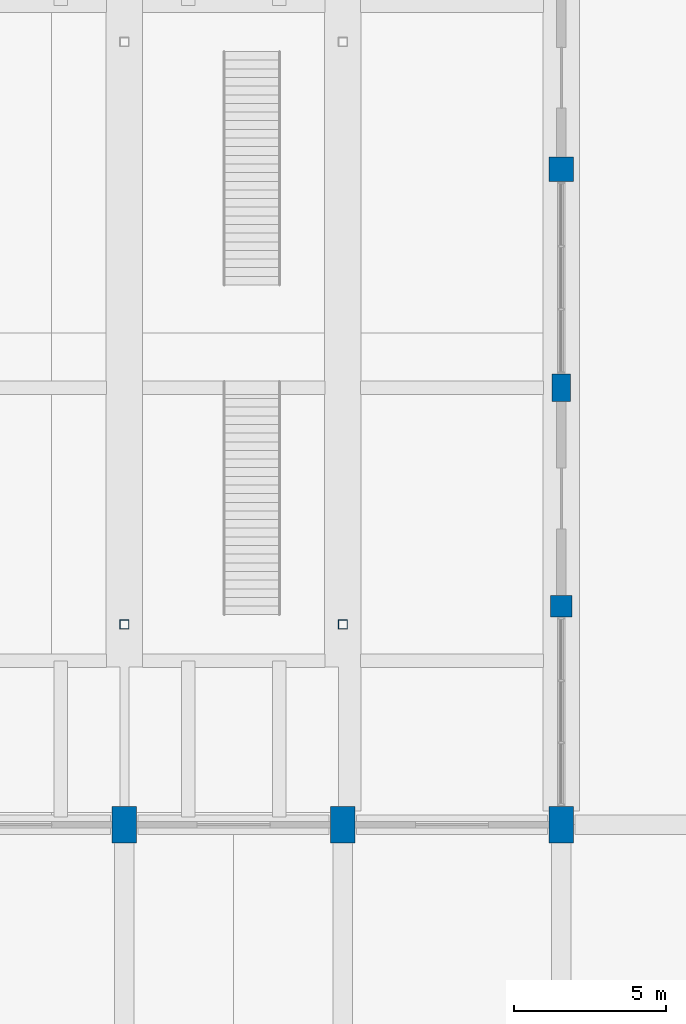
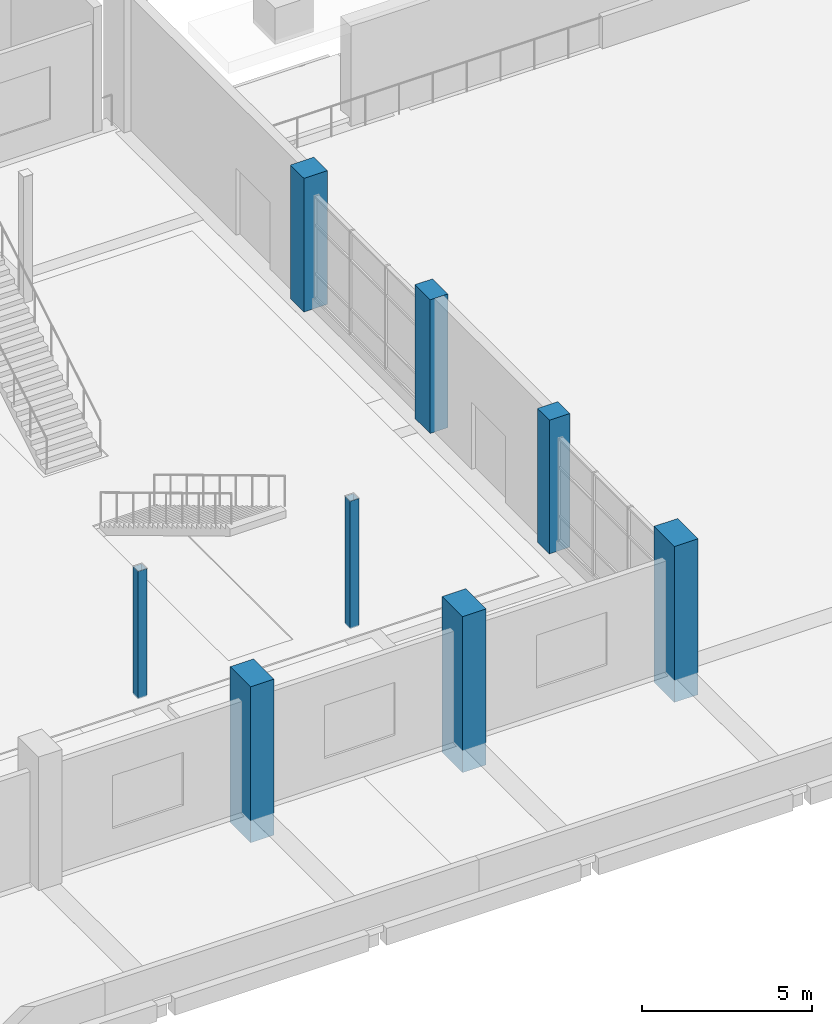
# One storey, part 10 of 82: 8 columns.
"""IFC4 building model written with IfcOpenShell, lengths in metres."""

from ifc_helpers import new_model, si_unit, direction, frame, origin, origin_2d, place, context, subcontext, project, spatial, rectangle, hollow_rectangle, extrude, material, material_profile, profile_set, type_object, element, save


model = new_model("IFC4")

# Units and contexts
model_context = context("Model", 3, precision=1e-05, world=origin(), true_north=direction((0.0, 1.0)))
body_context = subcontext(model_context, "Body", "Model", "MODEL_VIEW")
ifc_project = project(units=[si_unit("LENGTHUNIT", "METRE"), si_unit("AREAUNIT", "SQUARE_METRE"), si_unit("VOLUMEUNIT", "CUBIC_METRE"), si_unit("PLANEANGLEUNIT", "RADIAN"), si_unit("MASSUNIT", "GRAM", prefix="KILO")], contexts=[model_context])

# Site, building, storey
site_placement = place(None, origin())
site = spatial("IfcSite", under=ifc_project, at=site_placement, CompositionType="ELEMENT")
building_placement = place(site_placement, origin())
building = spatial("IfcBuilding", under=site, at=building_placement, Name="Sardonyx Promenade Sports Hall", CompositionType="ELEMENT")
storey_placement = place(building_placement, frame((0.0, 0.0, 11.199951171875)))
storey = spatial("IfcBuildingStorey", under=building, at=storey_placement, Name="L02", CompositionType="ELEMENT", Elevation=11.199951171875)

# Columns
ifc_material_1 = material(Name="Concrete C40/50", Category="concrete")
ifc_material_profile_1 = material_profile(ifc_material_1, rectangle(XDim=0.60009765625, YDim=0.89990234375, at=origin_2d()))
ifc_profile_set_1 = profile_set([ifc_material_profile_1], Name="Concrete C40/50")
column_type_1 = type_object("IfcColumnType", Name="Col_Ext_RC600x900", PredefinedType="COLUMN", material=ifc_profile_set_1)
column_1_placement = place(storey_placement, frame((79.199951171875, 86.39990234375, 0.0), z_axis=(0.0, 0.0, 1.0), x_axis=(1.0, 0.0, 0.0)))
element("IfcColumn", 1, at=column_1_placement, inside=storey, type_object=column_type_1, Name="Column CE12 L02 (79.2,86.4)", PredefinedType="COLUMN", context=body_context, shape_type="SweptSolid", body=[
    extrude(rectangle(XDim=0.60009765625, YDim=0.89990234375, at=origin_2d()), origin(), (0.0, 0.0, 1.0), 4.800048828125),
])
ifc_material_2 = material(Name="Concrete C40/50", Category="concrete")
ifc_material_profile_2 = material_profile(ifc_material_2, rectangle(XDim=0.699951171875, YDim=0.699951171875, at=origin_2d()))
ifc_profile_set_2 = profile_set([ifc_material_profile_2], Name="Concrete C40/50")
column_type_2 = type_object("IfcColumnType", Name="Col_Ext_RC700", PredefinedType="COLUMN", material=ifc_profile_set_2)
column_2_placement = place(storey_placement, frame((79.199951171875, 79.199951171875, 0.0), z_axis=(0.0, 0.0, 1.0), x_axis=(1.0, 0.0, 0.0)))
element("IfcColumn", 2, at=column_2_placement, inside=storey, type_object=column_type_2, Name="Column CE05 L02 (79.2,79.2)", PredefinedType="COLUMN", context=body_context, shape_type="SweptSolid", body=[
    extrude(rectangle(XDim=0.699951171875, YDim=0.699951171875, at=origin_2d()), origin(), (0.0, 0.0, 1.0), 4.800048828125),
])
ifc_material_3 = material(Name="Concrete C50/60", Category="concrete")
ifc_material_profile_3 = material_profile(ifc_material_3, rectangle(XDim=0.800048828125, YDim=0.800048828125, at=origin_2d()))
ifc_profile_set_3 = profile_set([ifc_material_profile_3], Name="Concrete C50/60")
column_type_3 = type_object("IfcColumnType", Name="Col_Ext_RC800", PredefinedType="COLUMN", material=ifc_profile_set_3)
column_3_placement = place(storey_placement, frame((79.199951171875, 93.60009765625, 0.0), z_axis=(0.0, 0.0, 1.0), x_axis=(1.0, 0.0, 0.0)))
element("IfcColumn", 3, at=column_3_placement, inside=storey, type_object=column_type_3, Name="Column CE13 L02 (79.2,93.6)", PredefinedType="COLUMN", context=body_context, shape_type="SweptSolid", body=[
    extrude(rectangle(XDim=0.800048828125, YDim=0.800048828125, at=origin_2d()), origin(), (0.0, 0.0, 1.0), 4.800048828125),
])
ifc_material_4 = material(Name="Concrete C50/60", Category="concrete")
ifc_material_profile_4 = material_profile(ifc_material_4, rectangle(XDim=0.800048828125, YDim=1.199951171875, at=origin_2d()))
ifc_profile_set_4 = profile_set([ifc_material_profile_4], Name="Concrete C50/60")
column_type_4 = type_object("IfcColumnType", Name="Col_Ext_RC800x1200", PredefinedType="COLUMN", material=ifc_profile_set_4)
for number, where, z_axis, x_axis, name in (
    (4, (64.800048828125, 72.0, -0.800048828125), (0.0, 0.0, 1.0), (1.0, 0.0, 0.0), "Column CE08 L02 (64.8,72.0)"),
    (5, (72.0, 72.0, -0.800048828125), (0.0, 0.0, 1.0), (1.0, 0.0, 0.0), "Column CE08 L02 (72.0,72.0)"),
    (6, (79.199951171875, 72.0, -0.800048828125), (0.0, 0.0, 1.0), (1.0, 0.0, 0.0), "Column CE08 L02 (79.2,72.0)"),
):
    element("IfcColumn", number, at=place(storey_placement, frame(where, z_axis=z_axis, x_axis=x_axis)), inside=storey, type_object=column_type_4, Name=name, PredefinedType="COLUMN", context=body_context, shape_type="SweptSolid", body=[
        extrude(rectangle(XDim=0.800048828125, YDim=1.199951171875, at=origin_2d()), origin(), (0.0, 0.0, 1.0), 5.60009765625),
    ])
ifc_material_5 = material(Name="Steel S355JR", Category="steel")
ifc_material_profile_5 = material_profile(ifc_material_5, hollow_rectangle(XDim=0.300048828125, YDim=0.300048828125, WallThickness=0.012451171875, at=origin_2d()))
ifc_profile_set_5 = profile_set([ifc_material_profile_5], Name="Steel S355JR")
column_type_5 = type_object("IfcColumnType", Name="Col_Int_SHS300", PredefinedType="COLUMN", material=ifc_profile_set_5)
for number, where, z_axis, x_axis, name in (
    (7, (64.800048828125, 78.60009765625, 0.0), (0.0, 0.0, 1.0), (1.0, 0.0, 0.0), "Upper-bowl transfer post 10S"),
    (8, (72.0, 78.60009765625, 0.0), (0.0, 0.0, 1.0), (1.0, 0.0, 0.0), "Upper-bowl transfer post 11S"),
):
    element("IfcColumn", number, at=place(storey_placement, frame(where, z_axis=z_axis, x_axis=x_axis)), inside=storey, type_object=column_type_5, Name=name, PredefinedType="COLUMN", context=body_context, shape_type="SweptSolid", body=[
        extrude(hollow_rectangle(XDim=0.300048828125, YDim=0.300048828125, WallThickness=0.012451171875, at=origin_2d()), origin(), (0.0, 0.0, 1.0), 4.580078125),
    ])

save(model, "model.ifc")
